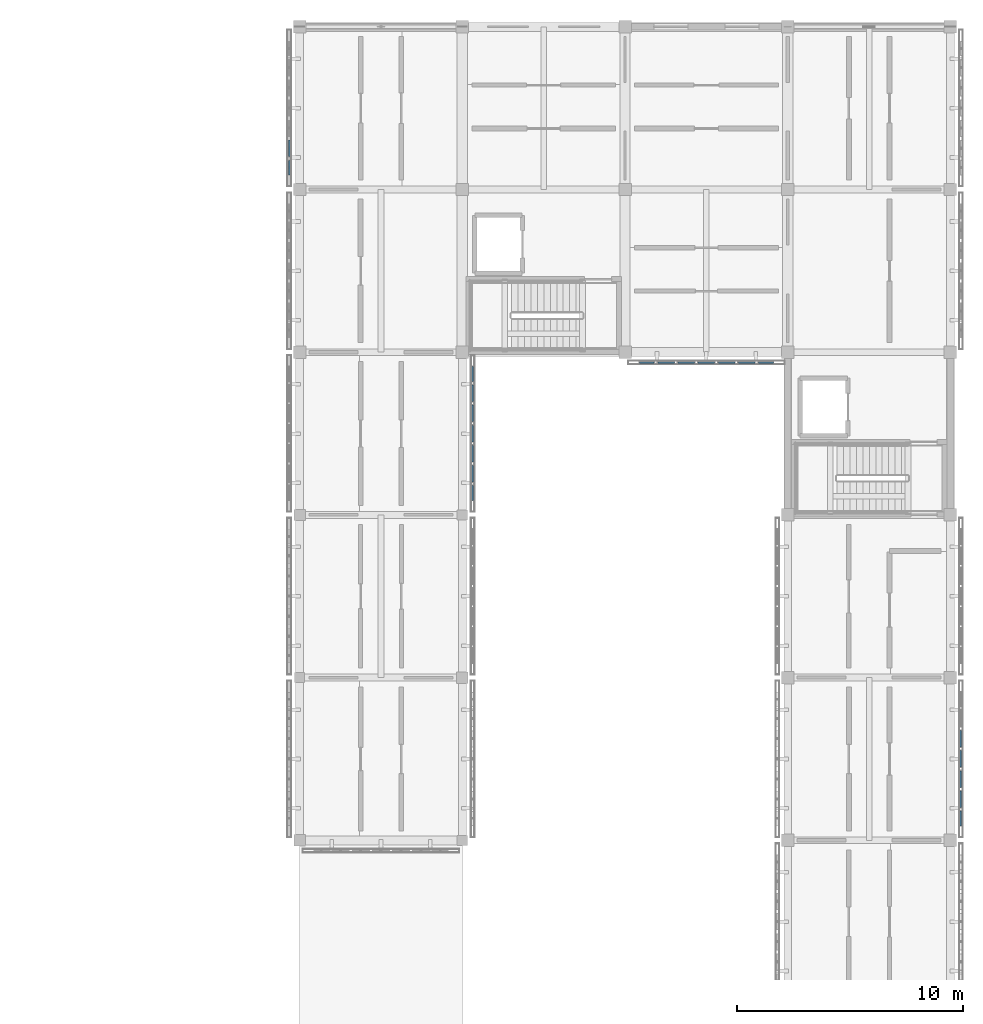
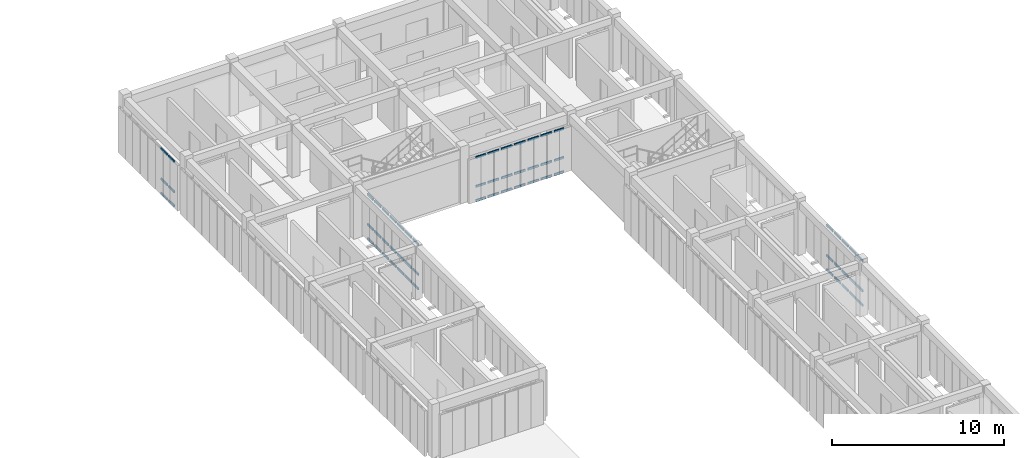
# One storey, part 32 of 67: 63 members, 4 elements without a shape of their own.
"""IFC4 building model written with IfcOpenShell, lengths in metres."""

from ifc_helpers import new_model, si_unit, direction, frame, origin, origin_2d, place, context, subcontext, project, spatial, hollow_rectangle, extrude, material, material_profile, profile_set, type_object, element, aggregate, save


model = new_model("IFC4")

# Units and contexts
model_context = context("Model", 3, precision=1e-05, world=origin(), true_north=direction((0.0, 1.0)))
body_context = subcontext(model_context, "Body", "Model", "MODEL_VIEW")
ifc_project = project(units=[si_unit("LENGTHUNIT", "METRE"), si_unit("AREAUNIT", "SQUARE_METRE"), si_unit("VOLUMEUNIT", "CUBIC_METRE"), si_unit("PLANEANGLEUNIT", "RADIAN"), si_unit("MASSUNIT", "GRAM", prefix="KILO")], contexts=[model_context])

# Site, building, storey
site_placement = place(None, origin())
site = spatial("IfcSite", under=ifc_project, at=site_placement, CompositionType="ELEMENT")
building_placement = place(site_placement, origin())
building = spatial("IfcBuilding", under=site, at=building_placement, Name="Aldebral Square Health Centre", CompositionType="ELEMENT")
storey_placement = place(building_placement, frame((0.0, 0.0, 13.5)))
storey = spatial("IfcBuildingStorey", under=building, at=storey_placement, Name="L03", CompositionType="ELEMENT", Elevation=13.5)

# Curtain wall, members
ifc_material_1 = material(Name="Aluminium and low-E solar glass", Category="aluminium")
curtain_wall_type = type_object("IfcCurtainWallType", Name="CW-FIN-SYS", PredefinedType="USERDEFINED", material=ifc_material_1)
curtain_wall_1_placement = place(storey_placement, origin())
curtain_wall_1 = element("IfcCurtainWall", 1, at=curtain_wall_1_placement, inside=storey, type_object=curtain_wall_type, Name="L03 V5 finned curtain wall L03-V5-19-13-E", ObjectType="SOLAR_CURTAIN_WALL", PredefinedType="USERDEFINED")
ifc_material_2 = material(Name="Anodised aluminium transom", Category="aluminium")
ifc_material_profile = material_profile(ifc_material_2, hollow_rectangle(XDim=0.074951171875, YDim=0.14990234375, WallThickness=0.00390625, at=origin_2d()), Name="CWT 75x150x4")
ifc_profile_set = profile_set([ifc_material_profile], Name="Anodised aluminium transom")
member_type = type_object("IfcMemberType", Name="CWT-STD", PredefinedType="USERDEFINED", material=ifc_profile_set)
member_1_placement = place(storey_placement, frame((144.4599609375, 94.239990234375, 0.03759765625), z_axis=(0.0, 1.0, 0.0), x_axis=(-1.0, 0.0, 0.0)))
member_1 = element("IfcMember", 2, at=member_1_placement, type_object=member_type, Name="CW1 transom 1.1", ObjectType="TRANSOM", PredefinedType="USERDEFINED", context=body_context, shape_type="SweptSolid", body=[
    extrude(hollow_rectangle(XDim=0.074951171875, YDim=0.14990234375, WallThickness=0.00390625, at=origin_2d()), origin(), (0.0, 0.0, 1.0), 0.6513671875),
])
member_2_placement = place(storey_placement, frame((144.4599609375, 94.239990234375, 1.050048828125), z_axis=(0.0, 1.0, 0.0), x_axis=(-1.0, 0.0, 0.0)))
member_2 = element("IfcMember", 3, at=member_2_placement, type_object=member_type, Name="CW1 transom 1.2", ObjectType="TRANSOM", PredefinedType="USERDEFINED", context=body_context, shape_type="SweptSolid", body=[
    extrude(hollow_rectangle(XDim=0.074951171875, YDim=0.14990234375, WallThickness=0.00390625, at=origin_2d()), origin(), (0.0, 0.0, 1.0), 0.6513671875),
])
member_3_placement = place(storey_placement, frame((144.4599609375, 94.239990234375, 3.202392578125), z_axis=(0.0, 1.0, 0.0), x_axis=(-1.0, 0.0, 0.0)))
member_3 = element("IfcMember", 4, at=member_3_placement, type_object=member_type, Name="CW1 transom 1.3", ObjectType="TRANSOM", PredefinedType="USERDEFINED", context=body_context, shape_type="SweptSolid", body=[
    extrude(hollow_rectangle(XDim=0.074951171875, YDim=0.14990234375, WallThickness=0.00390625, at=origin_2d()), origin(), (0.0, 0.0, 1.0), 0.6513671875),
])
member_4_placement = place(storey_placement, frame((144.4599609375, 95.051513671875, 0.03759765625), z_axis=(0.0, 1.0, 0.0), x_axis=(-1.0, 0.0, 0.0)))
member_4 = element("IfcMember", 5, at=member_4_placement, type_object=member_type, Name="CW1 transom 2.1", ObjectType="TRANSOM", PredefinedType="USERDEFINED", context=body_context, shape_type="SweptSolid", body=[
    extrude(hollow_rectangle(XDim=0.074951171875, YDim=0.14990234375, WallThickness=0.00390625, at=origin_2d()), origin(), (0.0, 0.0, 1.0), 0.7314453125),
])
member_5_placement = place(storey_placement, frame((144.4599609375, 95.051513671875, 1.050048828125), z_axis=(0.0, 1.0, 0.0), x_axis=(-1.0, 0.0, 0.0)))
member_5 = element("IfcMember", 6, at=member_5_placement, type_object=member_type, Name="CW1 transom 2.2", ObjectType="TRANSOM", PredefinedType="USERDEFINED", context=body_context, shape_type="SweptSolid", body=[
    extrude(hollow_rectangle(XDim=0.074951171875, YDim=0.14990234375, WallThickness=0.00390625, at=origin_2d()), origin(), (0.0, 0.0, 1.0), 0.7314453125),
])
member_6_placement = place(storey_placement, frame((144.4599609375, 95.051513671875, 3.202392578125), z_axis=(0.0, 1.0, 0.0), x_axis=(-1.0, 0.0, 0.0)))
member_6 = element("IfcMember", 7, at=member_6_placement, type_object=member_type, Name="CW1 transom 2.3", ObjectType="TRANSOM", PredefinedType="USERDEFINED", context=body_context, shape_type="SweptSolid", body=[
    extrude(hollow_rectangle(XDim=0.074951171875, YDim=0.14990234375, WallThickness=0.00390625, at=origin_2d()), origin(), (0.0, 0.0, 1.0), 0.7314453125),
])
member_7_placement = place(storey_placement, frame((144.4599609375, 95.94287109375, 0.03759765625), z_axis=(0.0, 1.0, 0.0), x_axis=(-1.0, 0.0, 0.0)))
member_7 = element("IfcMember", 8, at=member_7_placement, type_object=member_type, Name="CW1 transom 3.1", ObjectType="TRANSOM", PredefinedType="USERDEFINED", context=body_context, shape_type="SweptSolid", body=[
    extrude(hollow_rectangle(XDim=0.074951171875, YDim=0.14990234375, WallThickness=0.00390625, at=origin_2d()), origin(), (0.0, 0.0, 1.0), 0.7314453125),
])
member_8_placement = place(storey_placement, frame((144.4599609375, 95.94287109375, 1.050048828125), z_axis=(0.0, 1.0, 0.0), x_axis=(-1.0, 0.0, 0.0)))
member_8 = element("IfcMember", 9, at=member_8_placement, type_object=member_type, Name="CW1 transom 3.2", ObjectType="TRANSOM", PredefinedType="USERDEFINED", context=body_context, shape_type="SweptSolid", body=[
    extrude(hollow_rectangle(XDim=0.074951171875, YDim=0.14990234375, WallThickness=0.00390625, at=origin_2d()), origin(), (0.0, 0.0, 1.0), 0.7314453125),
])
member_9_placement = place(storey_placement, frame((144.4599609375, 95.94287109375, 3.202392578125), z_axis=(0.0, 1.0, 0.0), x_axis=(-1.0, 0.0, 0.0)))
member_9 = element("IfcMember", 10, at=member_9_placement, type_object=member_type, Name="CW1 transom 3.3", ObjectType="TRANSOM", PredefinedType="USERDEFINED", context=body_context, shape_type="SweptSolid", body=[
    extrude(hollow_rectangle(XDim=0.074951171875, YDim=0.14990234375, WallThickness=0.00390625, at=origin_2d()), origin(), (0.0, 0.0, 1.0), 0.7314453125),
])
member_10_placement = place(storey_placement, frame((144.4599609375, 96.834228515625, 0.03759765625), z_axis=(0.0, 1.0, 0.0), x_axis=(-1.0, 0.0, 0.0)))
member_10 = element("IfcMember", 11, at=member_10_placement, type_object=member_type, Name="CW1 transom 4.1", ObjectType="TRANSOM", PredefinedType="USERDEFINED", context=body_context, shape_type="SweptSolid", body=[
    extrude(hollow_rectangle(XDim=0.074951171875, YDim=0.14990234375, WallThickness=0.00390625, at=origin_2d()), origin(), (0.0, 0.0, 1.0), 0.7314453125),
])
member_11_placement = place(storey_placement, frame((144.4599609375, 96.834228515625, 1.050048828125), z_axis=(0.0, 1.0, 0.0), x_axis=(-1.0, 0.0, 0.0)))
member_11 = element("IfcMember", 12, at=member_11_placement, type_object=member_type, Name="CW1 transom 4.2", ObjectType="TRANSOM", PredefinedType="USERDEFINED", context=body_context, shape_type="SweptSolid", body=[
    extrude(hollow_rectangle(XDim=0.074951171875, YDim=0.14990234375, WallThickness=0.00390625, at=origin_2d()), origin(), (0.0, 0.0, 1.0), 0.7314453125),
])
member_12_placement = place(storey_placement, frame((144.4599609375, 96.834228515625, 3.202392578125), z_axis=(0.0, 1.0, 0.0), x_axis=(-1.0, 0.0, 0.0)))
member_12 = element("IfcMember", 13, at=member_12_placement, type_object=member_type, Name="CW1 transom 4.3", ObjectType="TRANSOM", PredefinedType="USERDEFINED", context=body_context, shape_type="SweptSolid", body=[
    extrude(hollow_rectangle(XDim=0.074951171875, YDim=0.14990234375, WallThickness=0.00390625, at=origin_2d()), origin(), (0.0, 0.0, 1.0), 0.7314453125),
])
member_13_placement = place(storey_placement, frame((144.4599609375, 97.725830078125, 0.03759765625), z_axis=(0.0, 1.0, 0.0), x_axis=(-1.0, 0.0, 0.0)))
member_13 = element("IfcMember", 14, at=member_13_placement, type_object=member_type, Name="CW1 transom 5.1", ObjectType="TRANSOM", PredefinedType="USERDEFINED", context=body_context, shape_type="SweptSolid", body=[
    extrude(hollow_rectangle(XDim=0.074951171875, YDim=0.14990234375, WallThickness=0.00390625, at=origin_2d()), origin(), (0.0, 0.0, 1.0), 0.731201171875),
])
member_14_placement = place(storey_placement, frame((144.4599609375, 97.725830078125, 1.050048828125), z_axis=(0.0, 1.0, 0.0), x_axis=(-1.0, 0.0, 0.0)))
member_14 = element("IfcMember", 15, at=member_14_placement, type_object=member_type, Name="CW1 transom 5.2", ObjectType="TRANSOM", PredefinedType="USERDEFINED", context=body_context, shape_type="SweptSolid", body=[
    extrude(hollow_rectangle(XDim=0.074951171875, YDim=0.14990234375, WallThickness=0.00390625, at=origin_2d()), origin(), (0.0, 0.0, 1.0), 0.731201171875),
])
member_15_placement = place(storey_placement, frame((144.4599609375, 97.725830078125, 3.202392578125), z_axis=(0.0, 1.0, 0.0), x_axis=(-1.0, 0.0, 0.0)))
member_15 = element("IfcMember", 16, at=member_15_placement, type_object=member_type, Name="CW1 transom 5.3", ObjectType="TRANSOM", PredefinedType="USERDEFINED", context=body_context, shape_type="SweptSolid", body=[
    extrude(hollow_rectangle(XDim=0.074951171875, YDim=0.14990234375, WallThickness=0.00390625, at=origin_2d()), origin(), (0.0, 0.0, 1.0), 0.731201171875),
])
member_16_placement = place(storey_placement, frame((144.4599609375, 98.6171875, 0.03759765625), z_axis=(0.0, 1.0, 0.0), x_axis=(-1.0, 0.0, 0.0)))
member_16 = element("IfcMember", 17, at=member_16_placement, type_object=member_type, Name="CW1 transom 6.1", ObjectType="TRANSOM", PredefinedType="USERDEFINED", context=body_context, shape_type="SweptSolid", body=[
    extrude(hollow_rectangle(XDim=0.074951171875, YDim=0.14990234375, WallThickness=0.00390625, at=origin_2d()), origin(), (0.0, 0.0, 1.0), 0.7314453125),
])
member_17_placement = place(storey_placement, frame((144.4599609375, 98.6171875, 1.050048828125), z_axis=(0.0, 1.0, 0.0), x_axis=(-1.0, 0.0, 0.0)))
member_17 = element("IfcMember", 18, at=member_17_placement, type_object=member_type, Name="CW1 transom 6.2", ObjectType="TRANSOM", PredefinedType="USERDEFINED", context=body_context, shape_type="SweptSolid", body=[
    extrude(hollow_rectangle(XDim=0.074951171875, YDim=0.14990234375, WallThickness=0.00390625, at=origin_2d()), origin(), (0.0, 0.0, 1.0), 0.7314453125),
])
member_18_placement = place(storey_placement, frame((144.4599609375, 98.6171875, 3.202392578125), z_axis=(0.0, 1.0, 0.0), x_axis=(-1.0, 0.0, 0.0)))
member_18 = element("IfcMember", 19, at=member_18_placement, type_object=member_type, Name="CW1 transom 6.3", ObjectType="TRANSOM", PredefinedType="USERDEFINED", context=body_context, shape_type="SweptSolid", body=[
    extrude(hollow_rectangle(XDim=0.074951171875, YDim=0.14990234375, WallThickness=0.00390625, at=origin_2d()), origin(), (0.0, 0.0, 1.0), 0.7314453125),
])
member_19_placement = place(storey_placement, frame((144.4599609375, 99.508544921875, 0.03759765625), z_axis=(0.0, 1.0, 0.0), x_axis=(-1.0, 0.0, 0.0)))
member_19 = element("IfcMember", 20, at=member_19_placement, type_object=member_type, Name="CW1 transom 7.1", ObjectType="TRANSOM", PredefinedType="USERDEFINED", context=body_context, shape_type="SweptSolid", body=[
    extrude(hollow_rectangle(XDim=0.074951171875, YDim=0.14990234375, WallThickness=0.00390625, at=origin_2d()), origin(), (0.0, 0.0, 1.0), 0.6513671875),
])
member_20_placement = place(storey_placement, frame((144.4599609375, 99.508544921875, 1.050048828125), z_axis=(0.0, 1.0, 0.0), x_axis=(-1.0, 0.0, 0.0)))
member_20 = element("IfcMember", 21, at=member_20_placement, type_object=member_type, Name="CW1 transom 7.2", ObjectType="TRANSOM", PredefinedType="USERDEFINED", context=body_context, shape_type="SweptSolid", body=[
    extrude(hollow_rectangle(XDim=0.074951171875, YDim=0.14990234375, WallThickness=0.00390625, at=origin_2d()), origin(), (0.0, 0.0, 1.0), 0.6513671875),
])
member_21_placement = place(storey_placement, frame((144.4599609375, 99.508544921875, 3.202392578125), z_axis=(0.0, 1.0, 0.0), x_axis=(-1.0, 0.0, 0.0)))
member_21 = element("IfcMember", 22, at=member_21_placement, type_object=member_type, Name="CW1 transom 7.3", ObjectType="TRANSOM", PredefinedType="USERDEFINED", context=body_context, shape_type="SweptSolid", body=[
    extrude(hollow_rectangle(XDim=0.074951171875, YDim=0.14990234375, WallThickness=0.00390625, at=origin_2d()), origin(), (0.0, 0.0, 1.0), 0.6513671875),
])
aggregate(curtain_wall_1, [member_1, member_2, member_3, member_4, member_5, member_6, member_7, member_8, member_9, member_10, member_11, member_12, member_13, member_14, member_15, member_16, member_17, member_18, member_19, member_20, member_21])

curtain_wall_2_placement = place(storey_placement, origin())
curtain_wall_2 = element("IfcCurtainWall", 23, at=curtain_wall_2_placement, inside=storey, type_object=curtain_wall_type, Name="L03 V5 finned curtain wall L03-V5-19-15-W", ObjectType="SOLAR_CURTAIN_WALL", PredefinedType="USERDEFINED")
member_22_placement = place(storey_placement, frame((136.340087890625, 110.182861328125, 0.03759765625), z_axis=(0.0, -1.0, 0.0), x_axis=(1.0, 0.0, 0.0)))
member_22 = element("IfcMember", 24, at=member_22_placement, type_object=member_type, Name="CW1 transom 6.1", ObjectType="TRANSOM", PredefinedType="USERDEFINED", context=body_context, shape_type="SweptSolid", body=[
    extrude(hollow_rectangle(XDim=0.074951171875, YDim=0.14990234375, WallThickness=0.00390625, at=origin_2d()), origin(), (0.0, 0.0, 1.0), 0.7314453125),
])
member_23_placement = place(storey_placement, frame((136.340087890625, 110.182861328125, 1.050048828125), z_axis=(0.0, -1.0, 0.0), x_axis=(1.0, 0.0, 0.0)))
member_23 = element("IfcMember", 25, at=member_23_placement, type_object=member_type, Name="CW1 transom 6.2", ObjectType="TRANSOM", PredefinedType="USERDEFINED", context=body_context, shape_type="SweptSolid", body=[
    extrude(hollow_rectangle(XDim=0.074951171875, YDim=0.14990234375, WallThickness=0.00390625, at=origin_2d()), origin(), (0.0, 0.0, 1.0), 0.7314453125),
])
member_24_placement = place(storey_placement, frame((136.340087890625, 110.182861328125, 3.202392578125), z_axis=(0.0, -1.0, 0.0), x_axis=(1.0, 0.0, 0.0)))
member_24 = element("IfcMember", 26, at=member_24_placement, type_object=member_type, Name="CW1 transom 6.3", ObjectType="TRANSOM", PredefinedType="USERDEFINED", context=body_context, shape_type="SweptSolid", body=[
    extrude(hollow_rectangle(XDim=0.074951171875, YDim=0.14990234375, WallThickness=0.00390625, at=origin_2d()), origin(), (0.0, 0.0, 1.0), 0.7314453125),
])
member_25_placement = place(storey_placement, frame((136.340087890625, 109.29150390625, 0.03759765625), z_axis=(0.0, -1.0, 0.0), x_axis=(1.0, 0.0, 0.0)))
member_25 = element("IfcMember", 27, at=member_25_placement, type_object=member_type, Name="CW1 transom 7.1", ObjectType="TRANSOM", PredefinedType="USERDEFINED", context=body_context, shape_type="SweptSolid", body=[
    extrude(hollow_rectangle(XDim=0.074951171875, YDim=0.14990234375, WallThickness=0.00390625, at=origin_2d()), origin(), (0.0, 0.0, 1.0), 0.651611328125),
])
member_26_placement = place(storey_placement, frame((136.340087890625, 109.29150390625, 1.050048828125), z_axis=(0.0, -1.0, 0.0), x_axis=(1.0, 0.0, 0.0)))
member_26 = element("IfcMember", 28, at=member_26_placement, type_object=member_type, Name="CW1 transom 7.2", ObjectType="TRANSOM", PredefinedType="USERDEFINED", context=body_context, shape_type="SweptSolid", body=[
    extrude(hollow_rectangle(XDim=0.074951171875, YDim=0.14990234375, WallThickness=0.00390625, at=origin_2d()), origin(), (0.0, 0.0, 1.0), 0.651611328125),
])
member_27_placement = place(storey_placement, frame((136.340087890625, 109.29150390625, 3.202392578125), z_axis=(0.0, -1.0, 0.0), x_axis=(1.0, 0.0, 0.0)))
member_27 = element("IfcMember", 29, at=member_27_placement, type_object=member_type, Name="CW1 transom 7.3", ObjectType="TRANSOM", PredefinedType="USERDEFINED", context=body_context, shape_type="SweptSolid", body=[
    extrude(hollow_rectangle(XDim=0.074951171875, YDim=0.14990234375, WallThickness=0.00390625, at=origin_2d()), origin(), (0.0, 0.0, 1.0), 0.651611328125),
])
aggregate(curtain_wall_2, [member_22, member_23, member_24, member_25, member_26, member_27])

curtain_wall_3_placement = place(storey_placement, origin())
curtain_wall_3 = element("IfcCurtainWall", 30, at=curtain_wall_3_placement, inside=storey, type_object=curtain_wall_type, Name="L03 V5 finned curtain wall L03-V5-21-14-S", ObjectType="SOLAR_CURTAIN_WALL", PredefinedType="USERDEFINED")
member_28_placement = place(storey_placement, frame((151.840087890625, 100.340087890625, 0.03759765625), z_axis=(1.0, 0.0, 0.0), x_axis=(0.0, 1.0, 0.0)))
member_28 = element("IfcMember", 31, at=member_28_placement, type_object=member_type, Name="CW1 transom 1.1", ObjectType="TRANSOM", PredefinedType="USERDEFINED", context=body_context, shape_type="SweptSolid", body=[
    extrude(hollow_rectangle(XDim=0.074951171875, YDim=0.14990234375, WallThickness=0.00390625, at=origin_2d()), origin(), (0.0, 0.0, 1.0), 0.6513671875),
])
member_29_placement = place(storey_placement, frame((151.840087890625, 100.340087890625, 1.050048828125), z_axis=(1.0, 0.0, 0.0), x_axis=(0.0, 1.0, 0.0)))
member_29 = element("IfcMember", 32, at=member_29_placement, type_object=member_type, Name="CW1 transom 1.2", ObjectType="TRANSOM", PredefinedType="USERDEFINED", context=body_context, shape_type="SweptSolid", body=[
    extrude(hollow_rectangle(XDim=0.074951171875, YDim=0.14990234375, WallThickness=0.00390625, at=origin_2d()), origin(), (0.0, 0.0, 1.0), 0.6513671875),
])
member_30_placement = place(storey_placement, frame((151.840087890625, 100.340087890625, 3.1025390625), z_axis=(1.0, 0.0, 0.0), x_axis=(0.0, 1.0, 0.0)))
member_30 = element("IfcMember", 33, at=member_30_placement, type_object=member_type, Name="CW1 transom 1.3", ObjectType="TRANSOM", PredefinedType="USERDEFINED", context=body_context, shape_type="SweptSolid", body=[
    extrude(hollow_rectangle(XDim=0.074951171875, YDim=0.14990234375, WallThickness=0.00390625, at=origin_2d()), origin(), (0.0, 0.0, 1.0), 0.6513671875),
])
member_31_placement = place(storey_placement, frame((152.6513671875, 100.340087890625, 0.03759765625), z_axis=(1.0, 0.0, 0.0), x_axis=(0.0, 1.0, 0.0)))
member_31 = element("IfcMember", 34, at=member_31_placement, type_object=member_type, Name="CW1 transom 2.1", ObjectType="TRANSOM", PredefinedType="USERDEFINED", context=body_context, shape_type="SweptSolid", body=[
    extrude(hollow_rectangle(XDim=0.074951171875, YDim=0.14990234375, WallThickness=0.00390625, at=origin_2d()), origin(), (0.0, 0.0, 1.0), 0.7314453125),
])
member_32_placement = place(storey_placement, frame((152.6513671875, 100.340087890625, 1.050048828125), z_axis=(1.0, 0.0, 0.0), x_axis=(0.0, 1.0, 0.0)))
member_32 = element("IfcMember", 35, at=member_32_placement, type_object=member_type, Name="CW1 transom 2.2", ObjectType="TRANSOM", PredefinedType="USERDEFINED", context=body_context, shape_type="SweptSolid", body=[
    extrude(hollow_rectangle(XDim=0.074951171875, YDim=0.14990234375, WallThickness=0.00390625, at=origin_2d()), origin(), (0.0, 0.0, 1.0), 0.7314453125),
])
member_33_placement = place(storey_placement, frame((152.6513671875, 100.340087890625, 3.1025390625), z_axis=(1.0, 0.0, 0.0), x_axis=(0.0, 1.0, 0.0)))
member_33 = element("IfcMember", 36, at=member_33_placement, type_object=member_type, Name="CW1 transom 2.3", ObjectType="TRANSOM", PredefinedType="USERDEFINED", context=body_context, shape_type="SweptSolid", body=[
    extrude(hollow_rectangle(XDim=0.074951171875, YDim=0.14990234375, WallThickness=0.00390625, at=origin_2d()), origin(), (0.0, 0.0, 1.0), 0.7314453125),
])
member_34_placement = place(storey_placement, frame((153.54296875, 100.340087890625, 0.03759765625), z_axis=(1.0, 0.0, 0.0), x_axis=(0.0, 1.0, 0.0)))
member_34 = element("IfcMember", 37, at=member_34_placement, type_object=member_type, Name="CW1 transom 3.1", ObjectType="TRANSOM", PredefinedType="USERDEFINED", context=body_context, shape_type="SweptSolid", body=[
    extrude(hollow_rectangle(XDim=0.074951171875, YDim=0.14990234375, WallThickness=0.00390625, at=origin_2d()), origin(), (0.0, 0.0, 1.0), 0.731201171875),
])
member_35_placement = place(storey_placement, frame((153.54296875, 100.340087890625, 1.050048828125), z_axis=(1.0, 0.0, 0.0), x_axis=(0.0, 1.0, 0.0)))
member_35 = element("IfcMember", 38, at=member_35_placement, type_object=member_type, Name="CW1 transom 3.2", ObjectType="TRANSOM", PredefinedType="USERDEFINED", context=body_context, shape_type="SweptSolid", body=[
    extrude(hollow_rectangle(XDim=0.074951171875, YDim=0.14990234375, WallThickness=0.00390625, at=origin_2d()), origin(), (0.0, 0.0, 1.0), 0.731201171875),
])
member_36_placement = place(storey_placement, frame((153.54296875, 100.340087890625, 3.1025390625), z_axis=(1.0, 0.0, 0.0), x_axis=(0.0, 1.0, 0.0)))
member_36 = element("IfcMember", 39, at=member_36_placement, type_object=member_type, Name="CW1 transom 3.3", ObjectType="TRANSOM", PredefinedType="USERDEFINED", context=body_context, shape_type="SweptSolid", body=[
    extrude(hollow_rectangle(XDim=0.074951171875, YDim=0.14990234375, WallThickness=0.00390625, at=origin_2d()), origin(), (0.0, 0.0, 1.0), 0.731201171875),
])
member_37_placement = place(storey_placement, frame((154.434326171875, 100.340087890625, 0.03759765625), z_axis=(1.0, 0.0, 0.0), x_axis=(0.0, 1.0, 0.0)))
member_37 = element("IfcMember", 40, at=member_37_placement, type_object=member_type, Name="CW1 transom 4.1", ObjectType="TRANSOM", PredefinedType="USERDEFINED", context=body_context, shape_type="SweptSolid", body=[
    extrude(hollow_rectangle(XDim=0.074951171875, YDim=0.14990234375, WallThickness=0.00390625, at=origin_2d()), origin(), (0.0, 0.0, 1.0), 0.7314453125),
])
member_38_placement = place(storey_placement, frame((154.434326171875, 100.340087890625, 1.050048828125), z_axis=(1.0, 0.0, 0.0), x_axis=(0.0, 1.0, 0.0)))
member_38 = element("IfcMember", 41, at=member_38_placement, type_object=member_type, Name="CW1 transom 4.2", ObjectType="TRANSOM", PredefinedType="USERDEFINED", context=body_context, shape_type="SweptSolid", body=[
    extrude(hollow_rectangle(XDim=0.074951171875, YDim=0.14990234375, WallThickness=0.00390625, at=origin_2d()), origin(), (0.0, 0.0, 1.0), 0.7314453125),
])
member_39_placement = place(storey_placement, frame((154.434326171875, 100.340087890625, 3.1025390625), z_axis=(1.0, 0.0, 0.0), x_axis=(0.0, 1.0, 0.0)))
member_39 = element("IfcMember", 42, at=member_39_placement, type_object=member_type, Name="CW1 transom 4.3", ObjectType="TRANSOM", PredefinedType="USERDEFINED", context=body_context, shape_type="SweptSolid", body=[
    extrude(hollow_rectangle(XDim=0.074951171875, YDim=0.14990234375, WallThickness=0.00390625, at=origin_2d()), origin(), (0.0, 0.0, 1.0), 0.7314453125),
])
member_40_placement = place(storey_placement, frame((155.32568359375, 100.340087890625, 0.03759765625), z_axis=(1.0, 0.0, 0.0), x_axis=(0.0, 1.0, 0.0)))
member_40 = element("IfcMember", 43, at=member_40_placement, type_object=member_type, Name="CW1 transom 5.1", ObjectType="TRANSOM", PredefinedType="USERDEFINED", context=body_context, shape_type="SweptSolid", body=[
    extrude(hollow_rectangle(XDim=0.074951171875, YDim=0.14990234375, WallThickness=0.00390625, at=origin_2d()), origin(), (0.0, 0.0, 1.0), 0.7314453125),
])
member_41_placement = place(storey_placement, frame((155.32568359375, 100.340087890625, 1.050048828125), z_axis=(1.0, 0.0, 0.0), x_axis=(0.0, 1.0, 0.0)))
member_41 = element("IfcMember", 44, at=member_41_placement, type_object=member_type, Name="CW1 transom 5.2", ObjectType="TRANSOM", PredefinedType="USERDEFINED", context=body_context, shape_type="SweptSolid", body=[
    extrude(hollow_rectangle(XDim=0.074951171875, YDim=0.14990234375, WallThickness=0.00390625, at=origin_2d()), origin(), (0.0, 0.0, 1.0), 0.7314453125),
])
member_42_placement = place(storey_placement, frame((155.32568359375, 100.340087890625, 3.1025390625), z_axis=(1.0, 0.0, 0.0), x_axis=(0.0, 1.0, 0.0)))
member_42 = element("IfcMember", 45, at=member_42_placement, type_object=member_type, Name="CW1 transom 5.3", ObjectType="TRANSOM", PredefinedType="USERDEFINED", context=body_context, shape_type="SweptSolid", body=[
    extrude(hollow_rectangle(XDim=0.074951171875, YDim=0.14990234375, WallThickness=0.00390625, at=origin_2d()), origin(), (0.0, 0.0, 1.0), 0.7314453125),
])
member_43_placement = place(storey_placement, frame((156.217041015625, 100.340087890625, 0.03759765625), z_axis=(1.0, 0.0, 0.0), x_axis=(0.0, 1.0, 0.0)))
member_43 = element("IfcMember", 46, at=member_43_placement, type_object=member_type, Name="CW1 transom 6.1", ObjectType="TRANSOM", PredefinedType="USERDEFINED", context=body_context, shape_type="SweptSolid", body=[
    extrude(hollow_rectangle(XDim=0.074951171875, YDim=0.14990234375, WallThickness=0.00390625, at=origin_2d()), origin(), (0.0, 0.0, 1.0), 0.7314453125),
])
member_44_placement = place(storey_placement, frame((156.217041015625, 100.340087890625, 1.050048828125), z_axis=(1.0, 0.0, 0.0), x_axis=(0.0, 1.0, 0.0)))
member_44 = element("IfcMember", 47, at=member_44_placement, type_object=member_type, Name="CW1 transom 6.2", ObjectType="TRANSOM", PredefinedType="USERDEFINED", context=body_context, shape_type="SweptSolid", body=[
    extrude(hollow_rectangle(XDim=0.074951171875, YDim=0.14990234375, WallThickness=0.00390625, at=origin_2d()), origin(), (0.0, 0.0, 1.0), 0.7314453125),
])
member_45_placement = place(storey_placement, frame((156.217041015625, 100.340087890625, 3.1025390625), z_axis=(1.0, 0.0, 0.0), x_axis=(0.0, 1.0, 0.0)))
member_45 = element("IfcMember", 48, at=member_45_placement, type_object=member_type, Name="CW1 transom 6.3", ObjectType="TRANSOM", PredefinedType="USERDEFINED", context=body_context, shape_type="SweptSolid", body=[
    extrude(hollow_rectangle(XDim=0.074951171875, YDim=0.14990234375, WallThickness=0.00390625, at=origin_2d()), origin(), (0.0, 0.0, 1.0), 0.7314453125),
])
member_46_placement = place(storey_placement, frame((157.108642578125, 100.340087890625, 0.03759765625), z_axis=(1.0, 0.0, 0.0), x_axis=(0.0, 1.0, 0.0)))
member_46 = element("IfcMember", 49, at=member_46_placement, type_object=member_type, Name="CW1 transom 7.1", ObjectType="TRANSOM", PredefinedType="USERDEFINED", context=body_context, shape_type="SweptSolid", body=[
    extrude(hollow_rectangle(XDim=0.074951171875, YDim=0.14990234375, WallThickness=0.00390625, at=origin_2d()), origin(), (0.0, 0.0, 1.0), 0.6513671875),
])
member_47_placement = place(storey_placement, frame((157.108642578125, 100.340087890625, 1.050048828125), z_axis=(1.0, 0.0, 0.0), x_axis=(0.0, 1.0, 0.0)))
member_47 = element("IfcMember", 50, at=member_47_placement, type_object=member_type, Name="CW1 transom 7.2", ObjectType="TRANSOM", PredefinedType="USERDEFINED", context=body_context, shape_type="SweptSolid", body=[
    extrude(hollow_rectangle(XDim=0.074951171875, YDim=0.14990234375, WallThickness=0.00390625, at=origin_2d()), origin(), (0.0, 0.0, 1.0), 0.6513671875),
])
member_48_placement = place(storey_placement, frame((157.108642578125, 100.340087890625, 3.1025390625), z_axis=(1.0, 0.0, 0.0), x_axis=(0.0, 1.0, 0.0)))
member_48 = element("IfcMember", 51, at=member_48_placement, type_object=member_type, Name="CW1 transom 7.3", ObjectType="TRANSOM", PredefinedType="USERDEFINED", context=body_context, shape_type="SweptSolid", body=[
    extrude(hollow_rectangle(XDim=0.074951171875, YDim=0.14990234375, WallThickness=0.00390625, at=origin_2d()), origin(), (0.0, 0.0, 1.0), 0.6513671875),
])
aggregate(curtain_wall_3, [member_28, member_29, member_30, member_31, member_32, member_33, member_34, member_35, member_36, member_37, member_38, member_39, member_40, member_41, member_42, member_43, member_44, member_45, member_46, member_47, member_48])

curtain_wall_4_placement = place(storey_placement, origin())
curtain_wall_4 = element("IfcCurtainWall", 52, at=curtain_wall_4_placement, inside=storey, type_object=curtain_wall_type, Name="L03 V5 finned curtain wall L03-V5-22-11-E", ObjectType="SOLAR_CURTAIN_WALL", PredefinedType="USERDEFINED")
member_49_placement = place(storey_placement, frame((166.06005859375, 79.840087890625, 0.03759765625), z_axis=(0.0, 1.0, 0.0), x_axis=(-1.0, 0.0, 0.0)))
member_49 = element("IfcMember", 53, at=member_49_placement, type_object=member_type, Name="CW1 transom 1.1", ObjectType="TRANSOM", PredefinedType="USERDEFINED", context=body_context, shape_type="SweptSolid", body=[
    extrude(hollow_rectangle(XDim=0.074951171875, YDim=0.14990234375, WallThickness=0.00390625, at=origin_2d()), origin(), (0.0, 0.0, 1.0), 0.6513671875),
])
member_50_placement = place(storey_placement, frame((166.06005859375, 79.840087890625, 1.050048828125), z_axis=(0.0, 1.0, 0.0), x_axis=(-1.0, 0.0, 0.0)))
member_50 = element("IfcMember", 54, at=member_50_placement, type_object=member_type, Name="CW1 transom 1.2", ObjectType="TRANSOM", PredefinedType="USERDEFINED", context=body_context, shape_type="SweptSolid", body=[
    extrude(hollow_rectangle(XDim=0.074951171875, YDim=0.14990234375, WallThickness=0.00390625, at=origin_2d()), origin(), (0.0, 0.0, 1.0), 0.6513671875),
])
member_51_placement = place(storey_placement, frame((166.06005859375, 79.840087890625, 3.202392578125), z_axis=(0.0, 1.0, 0.0), x_axis=(-1.0, 0.0, 0.0)))
member_51 = element("IfcMember", 55, at=member_51_placement, type_object=member_type, Name="CW1 transom 1.3", ObjectType="TRANSOM", PredefinedType="USERDEFINED", context=body_context, shape_type="SweptSolid", body=[
    extrude(hollow_rectangle(XDim=0.074951171875, YDim=0.14990234375, WallThickness=0.00390625, at=origin_2d()), origin(), (0.0, 0.0, 1.0), 0.6513671875),
])
member_52_placement = place(storey_placement, frame((166.06005859375, 80.6513671875, 0.03759765625), z_axis=(0.0, 1.0, 0.0), x_axis=(-1.0, 0.0, 0.0)))
member_52 = element("IfcMember", 56, at=member_52_placement, type_object=member_type, Name="CW1 transom 2.1", ObjectType="TRANSOM", PredefinedType="USERDEFINED", context=body_context, shape_type="SweptSolid", body=[
    extrude(hollow_rectangle(XDim=0.074951171875, YDim=0.14990234375, WallThickness=0.00390625, at=origin_2d()), origin(), (0.0, 0.0, 1.0), 0.7314453125),
])
member_53_placement = place(storey_placement, frame((166.06005859375, 80.6513671875, 1.050048828125), z_axis=(0.0, 1.0, 0.0), x_axis=(-1.0, 0.0, 0.0)))
member_53 = element("IfcMember", 57, at=member_53_placement, type_object=member_type, Name="CW1 transom 2.2", ObjectType="TRANSOM", PredefinedType="USERDEFINED", context=body_context, shape_type="SweptSolid", body=[
    extrude(hollow_rectangle(XDim=0.074951171875, YDim=0.14990234375, WallThickness=0.00390625, at=origin_2d()), origin(), (0.0, 0.0, 1.0), 0.7314453125),
])
member_54_placement = place(storey_placement, frame((166.06005859375, 80.6513671875, 3.202392578125), z_axis=(0.0, 1.0, 0.0), x_axis=(-1.0, 0.0, 0.0)))
member_54 = element("IfcMember", 58, at=member_54_placement, type_object=member_type, Name="CW1 transom 2.3", ObjectType="TRANSOM", PredefinedType="USERDEFINED", context=body_context, shape_type="SweptSolid", body=[
    extrude(hollow_rectangle(XDim=0.074951171875, YDim=0.14990234375, WallThickness=0.00390625, at=origin_2d()), origin(), (0.0, 0.0, 1.0), 0.7314453125),
])
member_55_placement = place(storey_placement, frame((166.06005859375, 81.54296875, 0.03759765625), z_axis=(0.0, 1.0, 0.0), x_axis=(-1.0, 0.0, 0.0)))
member_55 = element("IfcMember", 59, at=member_55_placement, type_object=member_type, Name="CW1 transom 3.1", ObjectType="TRANSOM", PredefinedType="USERDEFINED", context=body_context, shape_type="SweptSolid", body=[
    extrude(hollow_rectangle(XDim=0.074951171875, YDim=0.14990234375, WallThickness=0.00390625, at=origin_2d()), origin(), (0.0, 0.0, 1.0), 0.731201171875),
])
member_56_placement = place(storey_placement, frame((166.06005859375, 81.54296875, 1.050048828125), z_axis=(0.0, 1.0, 0.0), x_axis=(-1.0, 0.0, 0.0)))
member_56 = element("IfcMember", 60, at=member_56_placement, type_object=member_type, Name="CW1 transom 3.2", ObjectType="TRANSOM", PredefinedType="USERDEFINED", context=body_context, shape_type="SweptSolid", body=[
    extrude(hollow_rectangle(XDim=0.074951171875, YDim=0.14990234375, WallThickness=0.00390625, at=origin_2d()), origin(), (0.0, 0.0, 1.0), 0.731201171875),
])
member_57_placement = place(storey_placement, frame((166.06005859375, 81.54296875, 3.202392578125), z_axis=(0.0, 1.0, 0.0), x_axis=(-1.0, 0.0, 0.0)))
member_57 = element("IfcMember", 61, at=member_57_placement, type_object=member_type, Name="CW1 transom 3.3", ObjectType="TRANSOM", PredefinedType="USERDEFINED", context=body_context, shape_type="SweptSolid", body=[
    extrude(hollow_rectangle(XDim=0.074951171875, YDim=0.14990234375, WallThickness=0.00390625, at=origin_2d()), origin(), (0.0, 0.0, 1.0), 0.731201171875),
])
member_58_placement = place(storey_placement, frame((166.06005859375, 82.434326171875, 0.03759765625), z_axis=(0.0, 1.0, 0.0), x_axis=(-1.0, 0.0, 0.0)))
member_58 = element("IfcMember", 62, at=member_58_placement, type_object=member_type, Name="CW1 transom 4.1", ObjectType="TRANSOM", PredefinedType="USERDEFINED", context=body_context, shape_type="SweptSolid", body=[
    extrude(hollow_rectangle(XDim=0.074951171875, YDim=0.14990234375, WallThickness=0.00390625, at=origin_2d()), origin(), (0.0, 0.0, 1.0), 0.7314453125),
])
member_59_placement = place(storey_placement, frame((166.06005859375, 82.434326171875, 1.050048828125), z_axis=(0.0, 1.0, 0.0), x_axis=(-1.0, 0.0, 0.0)))
member_59 = element("IfcMember", 63, at=member_59_placement, type_object=member_type, Name="CW1 transom 4.2", ObjectType="TRANSOM", PredefinedType="USERDEFINED", context=body_context, shape_type="SweptSolid", body=[
    extrude(hollow_rectangle(XDim=0.074951171875, YDim=0.14990234375, WallThickness=0.00390625, at=origin_2d()), origin(), (0.0, 0.0, 1.0), 0.7314453125),
])
member_60_placement = place(storey_placement, frame((166.06005859375, 82.434326171875, 3.202392578125), z_axis=(0.0, 1.0, 0.0), x_axis=(-1.0, 0.0, 0.0)))
member_60 = element("IfcMember", 64, at=member_60_placement, type_object=member_type, Name="CW1 transom 4.3", ObjectType="TRANSOM", PredefinedType="USERDEFINED", context=body_context, shape_type="SweptSolid", body=[
    extrude(hollow_rectangle(XDim=0.074951171875, YDim=0.14990234375, WallThickness=0.00390625, at=origin_2d()), origin(), (0.0, 0.0, 1.0), 0.7314453125),
])
member_61_placement = place(storey_placement, frame((166.06005859375, 83.32568359375, 0.03759765625), z_axis=(0.0, 1.0, 0.0), x_axis=(-1.0, 0.0, 0.0)))
member_61 = element("IfcMember", 65, at=member_61_placement, type_object=member_type, Name="CW1 transom 5.1", ObjectType="TRANSOM", PredefinedType="USERDEFINED", context=body_context, shape_type="SweptSolid", body=[
    extrude(hollow_rectangle(XDim=0.074951171875, YDim=0.14990234375, WallThickness=0.00390625, at=origin_2d()), origin(), (0.0, 0.0, 1.0), 0.7314453125),
])
member_62_placement = place(storey_placement, frame((166.06005859375, 83.32568359375, 1.050048828125), z_axis=(0.0, 1.0, 0.0), x_axis=(-1.0, 0.0, 0.0)))
member_62 = element("IfcMember", 66, at=member_62_placement, type_object=member_type, Name="CW1 transom 5.2", ObjectType="TRANSOM", PredefinedType="USERDEFINED", context=body_context, shape_type="SweptSolid", body=[
    extrude(hollow_rectangle(XDim=0.074951171875, YDim=0.14990234375, WallThickness=0.00390625, at=origin_2d()), origin(), (0.0, 0.0, 1.0), 0.7314453125),
])
member_63_placement = place(storey_placement, frame((166.06005859375, 83.32568359375, 3.202392578125), z_axis=(0.0, 1.0, 0.0), x_axis=(-1.0, 0.0, 0.0)))
member_63 = element("IfcMember", 67, at=member_63_placement, type_object=member_type, Name="CW1 transom 5.3", ObjectType="TRANSOM", PredefinedType="USERDEFINED", context=body_context, shape_type="SweptSolid", body=[
    extrude(hollow_rectangle(XDim=0.074951171875, YDim=0.14990234375, WallThickness=0.00390625, at=origin_2d()), origin(), (0.0, 0.0, 1.0), 0.7314453125),
])
aggregate(curtain_wall_4, [member_49, member_50, member_51, member_52, member_53, member_54, member_55, member_56, member_57, member_58, member_59, member_60, member_61, member_62, member_63])

save(model, "model.ifc")
